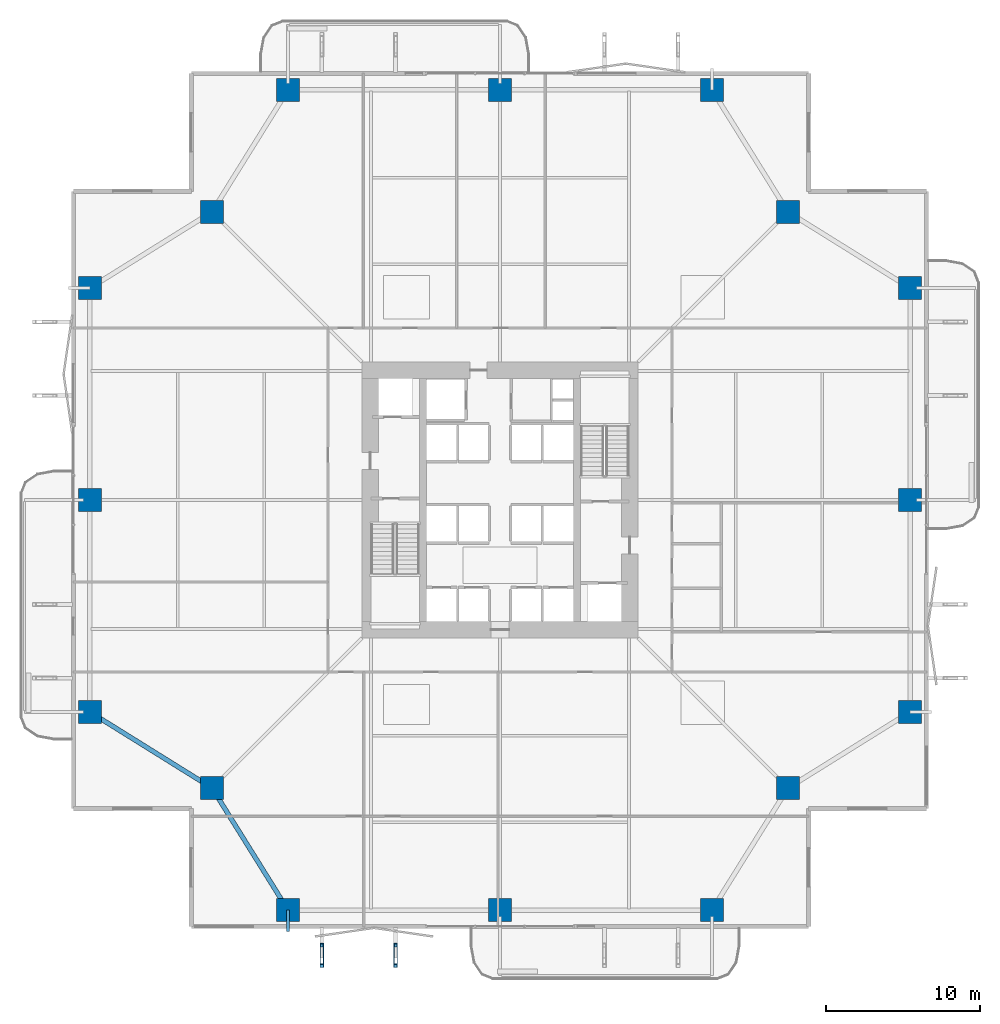
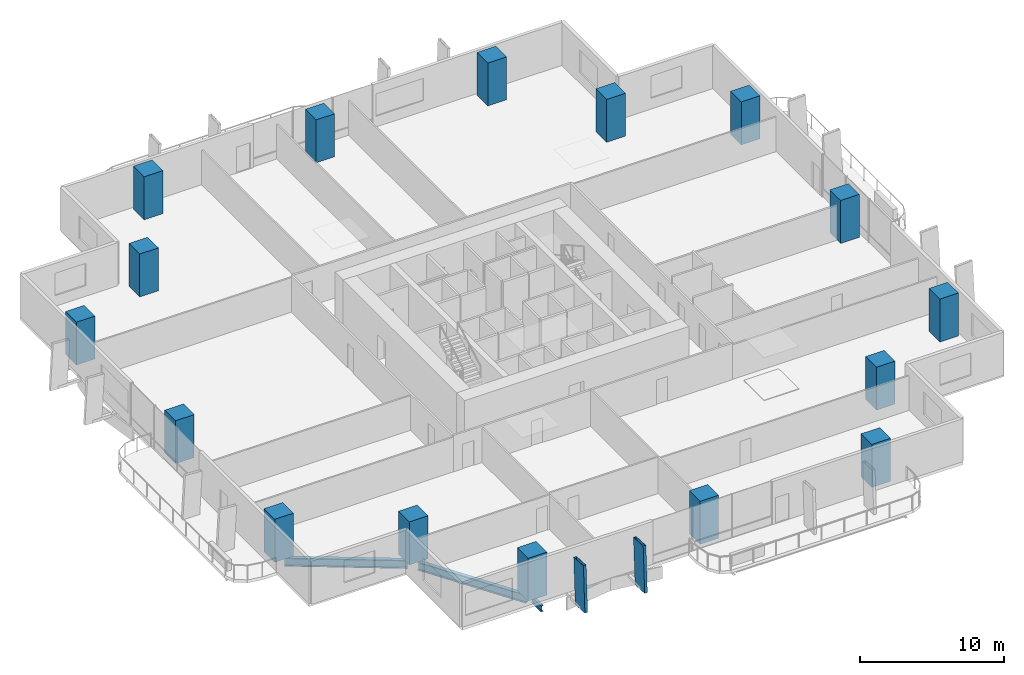
# One storey, part 1 of 24: 16 columns, 3 beams, 2 members.
"""IFC4 building model written with IfcOpenShell, lengths in metres."""

from ifc_helpers import new_model, si_unit, direction, frame, origin, origin_2d, place, context, subcontext, project, spatial, rectangle, hollow_rectangle, i_section, extrude, material, material_profile, profile_set, type_object, element, save


model = new_model("IFC4")

# Units and contexts
model_context = context("Model", 3, precision=1e-05, world=origin(), true_north=direction((0.0, 1.0)))
body_context = subcontext(model_context, "Body", "Model", "MODEL_VIEW")
ifc_project = project(units=[si_unit("LENGTHUNIT", "METRE"), si_unit("AREAUNIT", "SQUARE_METRE"), si_unit("VOLUMEUNIT", "CUBIC_METRE"), si_unit("PLANEANGLEUNIT", "RADIAN"), si_unit("MASSUNIT", "GRAM", prefix="KILO")], contexts=[model_context])

# Site, building, storey
site_placement = place(None, origin())
site = spatial("IfcSite", under=ifc_project, at=site_placement, CompositionType="ELEMENT")
building_placement = place(site_placement, origin())
building = spatial("IfcBuilding", under=site, at=building_placement, Name="Belovzor Exchange Tower", CompositionType="ELEMENT")
storey_placement = place(building_placement, frame((0.0, 0.0, 61.199951171875)))
storey = spatial("IfcBuildingStorey", under=building, at=storey_placement, Name="L14", CompositionType="ELEMENT", Elevation=61.199951171875)

# Columns
ifc_material_1 = material(Name="Concrete C60/75", Category="concrete")
ifc_material_profile_1 = material_profile(ifc_material_1, rectangle(XDim=1.5, YDim=1.5, at=origin_2d()))
ifc_profile_set_1 = profile_set([ifc_material_profile_1], Name="Concrete C60/75")
column_type = type_object("IfcColumnType", Name="Reinforced Concrete Tower Column 1500x1500", PredefinedType="COLUMN", material=ifc_profile_set_1)
for number, where, z_axis, x_axis, name in (
    (1, (15.0, 2.10009765625, 0.0029296875), (0.0, 0.0, 1.0), (1.0, 0.0, 0.0), "COL-T150 Reinforced Concrete Tower Column 1500x1500"),
    (2, (28.800048828125, 2.10009765625, 0.0029296875), (0.0, 0.0, 1.0), (1.0, 0.0, 0.0), "COL-T150 Reinforced Concrete Tower Column 1500x1500"),
    (3, (42.60009765625, 2.10009765625, 0.0029296875), (0.0, 0.0, 1.0), (1.0, 0.0, 0.0), "COL-T150 Reinforced Concrete Tower Column 1500x1500"),
    (4, (55.5, 15.0, 0.0029296875), (0.0, 0.0, 1.0), (1.0, 0.0, 0.0), "COL-T150 Reinforced Concrete Tower Column 1500x1500"),
    (5, (55.5, 28.800048828125, 0.0029296875), (0.0, 0.0, 1.0), (1.0, 0.0, 0.0), "COL-T150 Reinforced Concrete Tower Column 1500x1500"),
    (6, (55.5, 42.60009765625, 0.0029296875), (0.0, 0.0, 1.0), (1.0, 0.0, 0.0), "COL-T150 Reinforced Concrete Tower Column 1500x1500"),
    (7, (42.60009765625, 55.5, 0.0029296875), (0.0, 0.0, 1.0), (1.0, 0.0, 0.0), "COL-T150 Reinforced Concrete Tower Column 1500x1500"),
    (8, (28.800048828125, 55.5, 0.0029296875), (0.0, 0.0, 1.0), (1.0, 0.0, 0.0), "COL-T150 Reinforced Concrete Tower Column 1500x1500"),
    (9, (15.0, 55.5, 0.0029296875), (0.0, 0.0, 1.0), (1.0, 0.0, 0.0), "COL-T150 Reinforced Concrete Tower Column 1500x1500"),
    (10, (2.10009765625, 42.60009765625, 0.0029296875), (0.0, 0.0, 1.0), (1.0, 0.0, 0.0), "COL-T150 Reinforced Concrete Tower Column 1500x1500"),
    (11, (2.10009765625, 28.800048828125, 0.0029296875), (0.0, 0.0, 1.0), (1.0, 0.0, 0.0), "COL-T150 Reinforced Concrete Tower Column 1500x1500"),
    (12, (2.10009765625, 15.0, 0.0029296875), (0.0, 0.0, 1.0), (1.0, 0.0, 0.0), "COL-T150 Reinforced Concrete Tower Column 1500x1500"),
    (13, (10.050048828125, 10.050048828125, 0.0029296875), (0.0, 0.0, 1.0), (1.0, 0.0, 0.0), "COL-T150 Reinforced Concrete Tower Column 1500x1500"),
    (14, (47.550048828125, 10.050048828125, 0.0029296875), (0.0, 0.0, 1.0), (1.0, 0.0, 0.0), "COL-T150 Reinforced Concrete Tower Column 1500x1500"),
    (15, (47.550048828125, 47.550048828125, 0.0029296875), (0.0, 0.0, 1.0), (1.0, 0.0, 0.0), "COL-T150 Reinforced Concrete Tower Column 1500x1500"),
    (16, (10.050048828125, 47.550048828125, 0.0029296875), (0.0, 0.0, 1.0), (1.0, 0.0, 0.0), "COL-T150 Reinforced Concrete Tower Column 1500x1500"),
):
    element("IfcColumn", number, at=place(storey_placement, frame(where, z_axis=z_axis, x_axis=x_axis)), inside=storey, type_object=column_type, Name=name, PredefinedType="COLUMN", context=body_context, shape_type="SweptSolid", body=[
        extrude(rectangle(XDim=1.5, YDim=1.5, at=origin_2d()), origin(), (0.0, 0.0, 1.0), 3.64404296875),
    ])

# Members
ifc_material_2 = material(Name="Extruded Architectural Terracotta on Steel S355 Carrier", Category="masonry")
ifc_material_profile_2 = material_profile(ifc_material_2, hollow_rectangle(XDim=0.219970703125, YDim=1.35009765625, WallThickness=0.013916015625, at=origin_2d()))
ifc_profile_set_2 = profile_set([ifc_material_profile_2], Name="Extruded Architectural Terracotta on Steel S355 Carrier")
member_type = type_object("IfcMemberType", Name="Base Arc Sweeping Terracotta Pylon Fin 1450", PredefinedType="USERDEFINED", material=ifc_profile_set_2)
for number, where, z_axis, x_axis, name in (
    (17, (17.199951171875, -0.948974609375, -0.25), (0.0, 0.053756276307, 0.998554086045), (-1.0, 0.0, 0.0), "FIN-TC145 Terracotta Facade Fin L14 S1"),
    (18, (22.0, -0.948974609375, -0.25), (0.0, 0.053756276307, 0.998554086045), (-1.0, 0.0, 0.0), "FIN-TC145 Terracotta Facade Fin L14 S2"),
):
    element("IfcMember", number, at=place(storey_placement, frame(where, z_axis=z_axis, x_axis=x_axis)), inside=storey, type_object=member_type, Name=name, ObjectType="FIN", PredefinedType="USERDEFINED", context=body_context, shape_type="SweptSolid", body=[
        extrude(hollow_rectangle(XDim=0.219970703125, YDim=1.35009765625, WallThickness=0.013916015625, at=origin_2d()), origin(), (0.0, 0.0, 1.0), 3.90576171875),
    ])

# Beams
ifc_material_3 = material(Name="Steel S355", Category="steel")
ifc_material_profile_3 = material_profile(ifc_material_3, i_section(OverallWidth=0.199951171875, OverallDepth=0.5, WebThickness=0.01025390625, FlangeThickness=0.01611328125, at=origin_2d()))
ifc_profile_set_3 = profile_set([ifc_material_profile_3], Name="Steel S355")
beam_type_1 = type_object("IfcBeamType", Name="Planted Balcony Cantilever Beam IPE 500", PredefinedType="BEAM", material=ifc_profile_set_3)
beam_placement = place(storey_placement, frame((15.0, 2.10009765625, -0.5), z_axis=(0.0, -1.0, 0.0), x_axis=(1.0, 0.0, 0.0)))
element("IfcBeam", 19, at=beam_placement, inside=storey, type_object=beam_type_1, Name="BC-500 Planted Balcony Cantilever Beam IPE 500", PredefinedType="BEAM", context=body_context, shape_type="SweptSolid", body=[
    extrude(i_section(OverallWidth=0.199951171875, OverallDepth=0.5, WebThickness=0.01025390625, FlangeThickness=0.01611328125, at=origin_2d()), origin(), (0.0, 0.0, 1.0), 1.400146484375),
])
ifc_material_4 = material(Name="Steel S355", Category="steel")
ifc_material_profile_4 = material_profile(ifc_material_4, i_section(OverallWidth=0.300048828125, OverallDepth=0.699951171875, WebThickness=0.01708984375, FlangeThickness=0.031982421875, at=origin_2d()))
ifc_profile_set_4 = profile_set([ifc_material_profile_4], Name="Steel S355")
beam_type_2 = type_object("IfcBeamType", Name="Zone 1 Primary Perimeter Girder HEB 700", PredefinedType="BEAM", material=ifc_profile_set_4)
for number, where, z_axis, x_axis, name in (
    (20, (10.26806640625, 9.699951171875, -0.599853515625), (0.528538629686, -0.848909251292, 0.0), (0.848909251292, 0.528538629686, 0.0), "FG-Z1 Zone 1 Primary Perimeter Girder HEB 700"),
    (21, (2.449951171875, 14.781982421875, -0.599853515625), (0.848909251292, -0.528538629686, 0.0), (0.528538629686, 0.848909251292, 0.0), "FG-Z1 Zone 1 Primary Perimeter Girder HEB 700"),
):
    element("IfcBeam", number, at=place(storey_placement, frame(where, z_axis=z_axis, x_axis=x_axis)), inside=storey, type_object=beam_type_2, Name=name, PredefinedType="BEAM", context=body_context, shape_type="SweptSolid", body=[
        extrude(i_section(OverallWidth=0.300048828125, OverallDepth=0.699951171875, WebThickness=0.01708984375, FlangeThickness=0.031982421875, at=origin_2d()), origin(), (0.0, 0.0, 1.0), 8.540283203125),
    ])

save(model, "model.ifc")
